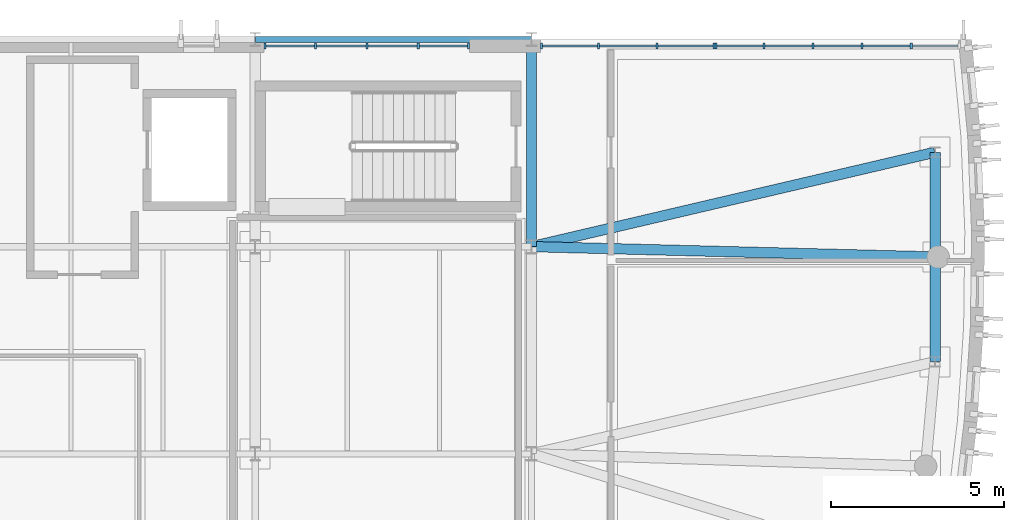
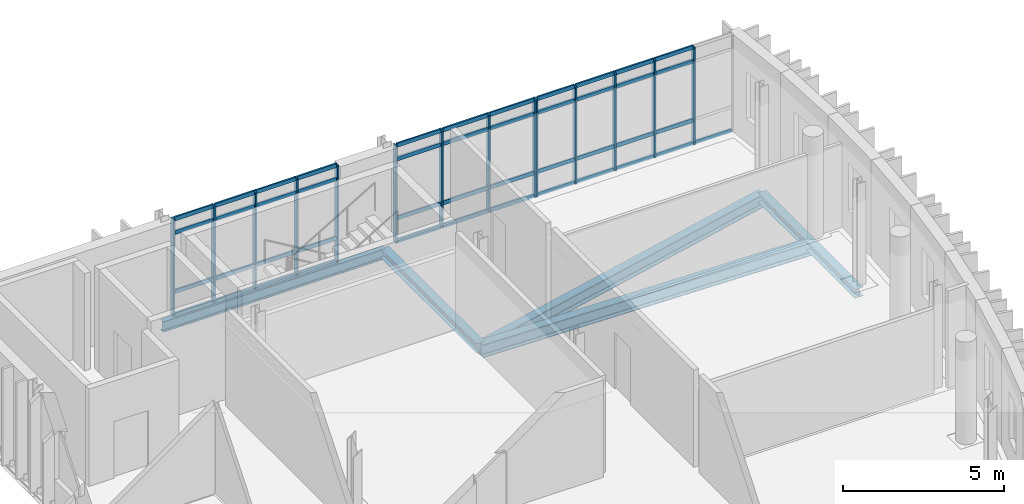
# One storey, part 3 of 10: 59 members, 5 beams, 3 elements without a shape of their own.
"""IFC4 building model written with IfcOpenShell, lengths in metres."""

from ifc_helpers import new_model, si_unit, direction, frame, origin, origin_2d, place, context, subcontext, project, spatial, rectangle, i_section, extrude, material, material_profile, profile_set, type_object, element, aggregate, save


model = new_model("IFC4")

# Units and contexts
model_context = context("Model", 3, precision=1e-05, world=origin(), true_north=direction((0.0, 1.0)))
body_context = subcontext(model_context, "Body", "Model", "MODEL_VIEW")
ifc_project = project(units=[si_unit("LENGTHUNIT", "METRE"), si_unit("AREAUNIT", "SQUARE_METRE"), si_unit("VOLUMEUNIT", "CUBIC_METRE"), si_unit("PLANEANGLEUNIT", "RADIAN"), si_unit("MASSUNIT", "GRAM", prefix="KILO")], contexts=[model_context])

# Site, building, storey
site_placement = place(None, origin())
site = spatial("IfcSite", under=ifc_project, at=site_placement, CompositionType="ELEMENT")
building_placement = place(site_placement, origin())
building = spatial("IfcBuilding", under=site, at=building_placement, Name="Cymarion Research Institute", CompositionType="ELEMENT")
storey_placement = place(building_placement, frame((0.0, 0.0, 38.39990234375)))
storey = spatial("IfcBuildingStorey", under=building, at=storey_placement, Name="L09", CompositionType="ELEMENT", Elevation=38.39990234375)

# Curtain wall, members
ifc_material_1 = material(Name="Anodised aluminium unitised curtain wall with Low-E glazing", Category="aluminium")
curtain_wall_type_1 = type_object("IfcCurtainWallType", Name="UNITISED CURTAIN WALL CW67 7100X3700", PredefinedType="NOTDEFINED", material=ifc_material_1)
curtain_wall_1_placement = place(storey_placement, origin())
curtain_wall_1 = element("IfcCurtainWall", 1, at=curtain_wall_1_placement, inside=storey, type_object=curtain_wall_type_1, Name="L09 V1 unitised curtain wall CW67 #250", PredefinedType="NOTDEFINED")
ifc_material_2 = material(Name="Anodised aluminium framing", Category="aluminium")
ifc_material_profile_1 = material_profile(ifc_material_2, rectangle(XDim=0.06005859375, YDim=0.179931640625, at=origin_2d()), Name="ALU MULLION 60x180")
ifc_profile_set_1 = profile_set([ifc_material_profile_1], Name="Anodised aluminium framing")
member_type_1 = type_object("IfcMemberType", Name="CURTAIN WALL MULLION ML01 60X180", PredefinedType="MULLION", material=ifc_profile_set_1)
member_1_placement = place(storey_placement, frame((165.59521484375, 29.31005859375, 0.0), z_axis=(0.0, 0.0, 1.0), x_axis=(-1.0, 0.0, 0.0)))
member_1 = element("IfcMember", 2, at=member_1_placement, type_object=member_type_1, Name="CW67 mullion 2", PredefinedType="MULLION", context=body_context, shape_type="SweptSolid", body=[
    extrude(rectangle(XDim=0.06005859375, YDim=0.179931640625, at=origin_2d()), origin(), (0.0, 0.0, 1.0), 3.7001953125),
])
member_2_placement = place(storey_placement, frame((164.17431640625, 29.31005859375, 0.0), z_axis=(0.0, 0.0, 1.0), x_axis=(-1.0, 0.0, 0.0)))
member_2 = element("IfcMember", 3, at=member_2_placement, type_object=member_type_1, Name="CW67 mullion 3", PredefinedType="MULLION", context=body_context, shape_type="SweptSolid", body=[
    extrude(rectangle(XDim=0.06005859375, YDim=0.179931640625, at=origin_2d()), origin(), (0.0, 0.0, 1.0), 3.7001953125),
])
member_3_placement = place(storey_placement, frame((162.75341796875, 29.31005859375, 0.0), z_axis=(0.0, 0.0, 1.0), x_axis=(-1.0, 0.0, 0.0)))
member_3 = element("IfcMember", 4, at=member_3_placement, type_object=member_type_1, Name="CW67 mullion 4", PredefinedType="MULLION", context=body_context, shape_type="SweptSolid", body=[
    extrude(rectangle(XDim=0.06005859375, YDim=0.179931640625, at=origin_2d()), origin(), (0.0, 0.0, 1.0), 3.7001953125),
])
member_4_placement = place(storey_placement, frame((161.332763671875, 29.31005859375, 0.0), z_axis=(0.0, 0.0, 1.0), x_axis=(-1.0, 0.0, 0.0)))
member_4 = element("IfcMember", 5, at=member_4_placement, type_object=member_type_1, Name="CW67 mullion 5", PredefinedType="MULLION", context=body_context, shape_type="SweptSolid", body=[
    extrude(rectangle(XDim=0.06005859375, YDim=0.179931640625, at=origin_2d()), origin(), (0.0, 0.0, 1.0), 3.7001953125),
])
member_5_placement = place(storey_placement, frame((159.94189453125, 29.31005859375, 0.0), z_axis=(0.0, 0.0, 1.0), x_axis=(-1.0, 0.0, 0.0)))
member_5 = element("IfcMember", 6, at=member_5_placement, type_object=member_type_1, Name="CW67 mullion 6", PredefinedType="MULLION", context=body_context, shape_type="SweptSolid", body=[
    extrude(rectangle(XDim=0.06005859375, YDim=0.179931640625, at=origin_2d()), origin(), (0.0, 0.0, 1.0), 3.7001953125),
])

curtain_wall_type_2 = type_object("IfcCurtainWallType", Name="UNITISED CURTAIN WALL CW68 5050X3700", PredefinedType="NOTDEFINED", material=ifc_material_1)
curtain_wall_2_placement = place(storey_placement, origin())
curtain_wall_2 = element("IfcCurtainWall", 7, at=curtain_wall_2_placement, inside=storey, type_object=curtain_wall_type_2, Name="L09 V1 unitised curtain wall CW68 #251", PredefinedType="NOTDEFINED")
member_6_placement = place(storey_placement, frame((159.8818359375, 29.31005859375, 0.0), z_axis=(0.0, 0.0, 1.0), x_axis=(-1.0, 0.0, 0.0)))
member_6 = element("IfcMember", 8, at=member_6_placement, type_object=member_type_1, Name="CW68 mullion 1", PredefinedType="MULLION", context=body_context, shape_type="SweptSolid", body=[
    extrude(rectangle(XDim=0.06005859375, YDim=0.179931640625, at=origin_2d()), origin(), (0.0, 0.0, 1.0), 3.7001953125),
])
member_7_placement = place(storey_placement, frame((158.22802734375, 29.31005859375, 0.0), z_axis=(0.0, 0.0, 1.0), x_axis=(-1.0, 0.0, 0.0)))
member_7 = element("IfcMember", 9, at=member_7_placement, type_object=member_type_1, Name="CW68 mullion 2", PredefinedType="MULLION", context=body_context, shape_type="SweptSolid", body=[
    extrude(rectangle(XDim=0.06005859375, YDim=0.179931640625, at=origin_2d()), origin(), (0.0, 0.0, 1.0), 3.7001953125),
])
member_8_placement = place(storey_placement, frame((156.5439453125, 29.31005859375, 0.0), z_axis=(0.0, 0.0, 1.0), x_axis=(-1.0, 0.0, 0.0)))
member_8 = element("IfcMember", 10, at=member_8_placement, type_object=member_type_1, Name="CW68 mullion 3", PredefinedType="MULLION", context=body_context, shape_type="SweptSolid", body=[
    extrude(rectangle(XDim=0.06005859375, YDim=0.179931640625, at=origin_2d()), origin(), (0.0, 0.0, 1.0), 3.7001953125),
])
member_9_placement = place(storey_placement, frame((154.889892578125, 29.31005859375, 0.0), z_axis=(0.0, 0.0, 1.0), x_axis=(-1.0, 0.0, 0.0)))
member_9 = element("IfcMember", 11, at=member_9_placement, type_object=member_type_1, Name="CW68 mullion 4", PredefinedType="MULLION", context=body_context, shape_type="SweptSolid", body=[
    extrude(rectangle(XDim=0.06005859375, YDim=0.179931640625, at=origin_2d()), origin(), (0.0, 0.0, 1.0), 3.7001953125),
])

curtain_wall_type_3 = type_object("IfcCurtainWallType", Name="UNITISED CURTAIN WALL CW69 5950X3700", PredefinedType="NOTDEFINED", material=ifc_material_1)
curtain_wall_3_placement = place(storey_placement, origin())
curtain_wall_3 = element("IfcCurtainWall", 12, at=curtain_wall_3_placement, inside=storey, type_object=curtain_wall_type_3, Name="L09 V1 unitised curtain wall CW69 #252", PredefinedType="NOTDEFINED")
member_10_placement = place(storey_placement, frame((152.77783203125, 29.31005859375, 0.0), z_axis=(0.0, 0.0, 1.0), x_axis=(-1.0, 0.0, 0.0)))
member_10 = element("IfcMember", 13, at=member_10_placement, type_object=member_type_1, Name="CW69 mullion 1", PredefinedType="MULLION", context=body_context, shape_type="SweptSolid", body=[
    extrude(rectangle(XDim=0.06005859375, YDim=0.179931640625, at=origin_2d()), origin(), (0.0, 0.0, 1.0), 3.7001953125),
])
member_11_placement = place(storey_placement, frame((151.321044921875, 29.31005859375, 0.0), z_axis=(0.0, 0.0, 1.0), x_axis=(-1.0, 0.0, 0.0)))
member_11 = element("IfcMember", 14, at=member_11_placement, type_object=member_type_1, Name="CW69 mullion 2", PredefinedType="MULLION", context=body_context, shape_type="SweptSolid", body=[
    extrude(rectangle(XDim=0.06005859375, YDim=0.179931640625, at=origin_2d()), origin(), (0.0, 0.0, 1.0), 3.7001953125),
])
member_12_placement = place(storey_placement, frame((149.833984375, 29.31005859375, 0.0), z_axis=(0.0, 0.0, 1.0), x_axis=(-1.0, 0.0, 0.0)))
member_12 = element("IfcMember", 15, at=member_12_placement, type_object=member_type_1, Name="CW69 mullion 3", PredefinedType="MULLION", context=body_context, shape_type="SweptSolid", body=[
    extrude(rectangle(XDim=0.06005859375, YDim=0.179931640625, at=origin_2d()), origin(), (0.0, 0.0, 1.0), 3.7001953125),
])
member_13_placement = place(storey_placement, frame((148.346923828125, 29.31005859375, 0.0), z_axis=(0.0, 0.0, 1.0), x_axis=(-1.0, 0.0, 0.0)))
member_13 = element("IfcMember", 16, at=member_13_placement, type_object=member_type_1, Name="CW69 mullion 4", PredefinedType="MULLION", context=body_context, shape_type="SweptSolid", body=[
    extrude(rectangle(XDim=0.06005859375, YDim=0.179931640625, at=origin_2d()), origin(), (0.0, 0.0, 1.0), 3.7001953125),
])
member_14_placement = place(storey_placement, frame((146.889892578125, 29.31005859375, 0.0), z_axis=(0.0, 0.0, 1.0), x_axis=(-1.0, 0.0, 0.0)))
member_14 = element("IfcMember", 17, at=member_14_placement, type_object=member_type_1, Name="CW69 mullion 5", PredefinedType="MULLION", context=body_context, shape_type="SweptSolid", body=[
    extrude(rectangle(XDim=0.06005859375, YDim=0.179931640625, at=origin_2d()), origin(), (0.0, 0.0, 1.0), 3.7001953125),
])

# Member
ifc_material_profile_2 = material_profile(ifc_material_2, rectangle(XDim=0.06005859375, YDim=0.14990234375, at=origin_2d()), Name="ALU TRANSOM 60x150")
ifc_profile_set_2 = profile_set([ifc_material_profile_2], Name="Anodised aluminium framing")
member_type_2 = type_object("IfcMemberType", Name="CURTAIN WALL TRANSOM TR01 60X150", PredefinedType="USERDEFINED", material=ifc_profile_set_2)
member_15_placement = place(storey_placement, frame((166.955810546875, 29.31005859375, 0.030029296875), z_axis=(-1.0, 0.0, 0.0), x_axis=(0.0, -1.0, 0.0)))
member_15 = element("IfcMember", 18, at=member_15_placement, type_object=member_type_2, Name="CW67 transom 1.1", ObjectType="TRANSOM", PredefinedType="USERDEFINED", context=body_context, shape_type="SweptSolid", body=[
    extrude(rectangle(XDim=0.06005859375, YDim=0.14990234375, at=origin_2d()), origin(), (0.0, 0.0, 1.0), 1.330810546875),
])

member_16_placement = place(storey_placement, frame((165.565185546875, 29.31005859375, 0.030029296875), z_axis=(-1.0, 0.0, 0.0), x_axis=(0.0, -1.0, 0.0)))
member_16 = element("IfcMember", 19, at=member_16_placement, type_object=member_type_2, Name="CW67 transom 2.1", ObjectType="TRANSOM", PredefinedType="USERDEFINED", context=body_context, shape_type="SweptSolid", body=[
    extrude(rectangle(XDim=0.06005859375, YDim=0.14990234375, at=origin_2d()), origin(), (0.0, 0.0, 1.0), 1.36083984375),
])

member_17_placement = place(storey_placement, frame((165.565185546875, 29.31005859375, 0.900146484375), z_axis=(-1.0, 0.0, 0.0), x_axis=(0.0, -1.0, 0.0)))
member_17 = element("IfcMember", 20, at=member_17_placement, type_object=member_type_2, Name="CW67 transom 2.2", ObjectType="TRANSOM", PredefinedType="USERDEFINED", context=body_context, shape_type="SweptSolid", body=[
    extrude(rectangle(XDim=0.06005859375, YDim=0.14990234375, at=origin_2d()), origin(), (0.0, 0.0, 1.0), 1.36083984375),
])

member_18_placement = place(storey_placement, frame((165.565185546875, 29.31005859375, 3.150146484375), z_axis=(-1.0, 0.0, 0.0), x_axis=(0.0, -1.0, 0.0)))
member_18 = element("IfcMember", 21, at=member_18_placement, type_object=member_type_2, Name="CW67 transom 2.3", ObjectType="TRANSOM", PredefinedType="USERDEFINED", context=body_context, shape_type="SweptSolid", body=[
    extrude(rectangle(XDim=0.06005859375, YDim=0.14990234375, at=origin_2d()), origin(), (0.0, 0.0, 1.0), 1.36083984375),
])

member_19_placement = place(storey_placement, frame((165.565185546875, 29.31005859375, 3.670166015625), z_axis=(-1.0, 0.0, 0.0), x_axis=(0.0, -1.0, 0.0)))
member_19 = element("IfcMember", 22, at=member_19_placement, type_object=member_type_2, Name="CW67 transom 2.4", ObjectType="TRANSOM", PredefinedType="USERDEFINED", context=body_context, shape_type="SweptSolid", body=[
    extrude(rectangle(XDim=0.06005859375, YDim=0.14990234375, at=origin_2d()), origin(), (0.0, 0.0, 1.0), 1.36083984375),
])

member_20_placement = place(storey_placement, frame((164.144287109375, 29.31005859375, 0.030029296875), z_axis=(-1.0, 0.0, 0.0), x_axis=(0.0, -1.0, 0.0)))
member_20 = element("IfcMember", 23, at=member_20_placement, type_object=member_type_2, Name="CW67 transom 3.1", ObjectType="TRANSOM", PredefinedType="USERDEFINED", context=body_context, shape_type="SweptSolid", body=[
    extrude(rectangle(XDim=0.06005859375, YDim=0.14990234375, at=origin_2d()), origin(), (0.0, 0.0, 1.0), 1.36083984375),
])

member_21_placement = place(storey_placement, frame((164.144287109375, 29.31005859375, 0.900146484375), z_axis=(-1.0, 0.0, 0.0), x_axis=(0.0, -1.0, 0.0)))
member_21 = element("IfcMember", 24, at=member_21_placement, type_object=member_type_2, Name="CW67 transom 3.2", ObjectType="TRANSOM", PredefinedType="USERDEFINED", context=body_context, shape_type="SweptSolid", body=[
    extrude(rectangle(XDim=0.06005859375, YDim=0.14990234375, at=origin_2d()), origin(), (0.0, 0.0, 1.0), 1.36083984375),
])

member_22_placement = place(storey_placement, frame((164.144287109375, 29.31005859375, 3.150146484375), z_axis=(-1.0, 0.0, 0.0), x_axis=(0.0, -1.0, 0.0)))
member_22 = element("IfcMember", 25, at=member_22_placement, type_object=member_type_2, Name="CW67 transom 3.3", ObjectType="TRANSOM", PredefinedType="USERDEFINED", context=body_context, shape_type="SweptSolid", body=[
    extrude(rectangle(XDim=0.06005859375, YDim=0.14990234375, at=origin_2d()), origin(), (0.0, 0.0, 1.0), 1.36083984375),
])

member_23_placement = place(storey_placement, frame((164.144287109375, 29.31005859375, 3.670166015625), z_axis=(-1.0, 0.0, 0.0), x_axis=(0.0, -1.0, 0.0)))
member_23 = element("IfcMember", 26, at=member_23_placement, type_object=member_type_2, Name="CW67 transom 3.4", ObjectType="TRANSOM", PredefinedType="USERDEFINED", context=body_context, shape_type="SweptSolid", body=[
    extrude(rectangle(XDim=0.06005859375, YDim=0.14990234375, at=origin_2d()), origin(), (0.0, 0.0, 1.0), 1.36083984375),
])

member_24_placement = place(storey_placement, frame((162.723388671875, 29.31005859375, 0.030029296875), z_axis=(-1.0, 0.0, 0.0), x_axis=(0.0, -1.0, 0.0)))
member_24 = element("IfcMember", 27, at=member_24_placement, type_object=member_type_2, Name="CW67 transom 4.1", ObjectType="TRANSOM", PredefinedType="USERDEFINED", context=body_context, shape_type="SweptSolid", body=[
    extrude(rectangle(XDim=0.06005859375, YDim=0.14990234375, at=origin_2d()), origin(), (0.0, 0.0, 1.0), 1.360595703125),
])

member_25_placement = place(storey_placement, frame((162.723388671875, 29.31005859375, 0.900146484375), z_axis=(-1.0, 0.0, 0.0), x_axis=(0.0, -1.0, 0.0)))
member_25 = element("IfcMember", 28, at=member_25_placement, type_object=member_type_2, Name="CW67 transom 4.2", ObjectType="TRANSOM", PredefinedType="USERDEFINED", context=body_context, shape_type="SweptSolid", body=[
    extrude(rectangle(XDim=0.06005859375, YDim=0.14990234375, at=origin_2d()), origin(), (0.0, 0.0, 1.0), 1.360595703125),
])

member_26_placement = place(storey_placement, frame((162.723388671875, 29.31005859375, 3.150146484375), z_axis=(-1.0, 0.0, 0.0), x_axis=(0.0, -1.0, 0.0)))
member_26 = element("IfcMember", 29, at=member_26_placement, type_object=member_type_2, Name="CW67 transom 4.3", ObjectType="TRANSOM", PredefinedType="USERDEFINED", context=body_context, shape_type="SweptSolid", body=[
    extrude(rectangle(XDim=0.06005859375, YDim=0.14990234375, at=origin_2d()), origin(), (0.0, 0.0, 1.0), 1.360595703125),
])

member_27_placement = place(storey_placement, frame((162.723388671875, 29.31005859375, 3.670166015625), z_axis=(-1.0, 0.0, 0.0), x_axis=(0.0, -1.0, 0.0)))
member_27 = element("IfcMember", 30, at=member_27_placement, type_object=member_type_2, Name="CW67 transom 4.4", ObjectType="TRANSOM", PredefinedType="USERDEFINED", context=body_context, shape_type="SweptSolid", body=[
    extrude(rectangle(XDim=0.06005859375, YDim=0.14990234375, at=origin_2d()), origin(), (0.0, 0.0, 1.0), 1.360595703125),
])

member_28_placement = place(storey_placement, frame((161.302734375, 29.31005859375, 0.030029296875), z_axis=(-1.0, 0.0, 0.0), x_axis=(0.0, -1.0, 0.0)))
member_28 = element("IfcMember", 31, at=member_28_placement, type_object=member_type_2, Name="CW67 transom 5.1", ObjectType="TRANSOM", PredefinedType="USERDEFINED", context=body_context, shape_type="SweptSolid", body=[
    extrude(rectangle(XDim=0.06005859375, YDim=0.14990234375, at=origin_2d()), origin(), (0.0, 0.0, 1.0), 1.330810546875),
])

member_29_placement = place(storey_placement, frame((161.302734375, 29.31005859375, 0.900146484375), z_axis=(-1.0, 0.0, 0.0), x_axis=(0.0, -1.0, 0.0)))
member_29 = element("IfcMember", 32, at=member_29_placement, type_object=member_type_2, Name="CW67 transom 5.2", ObjectType="TRANSOM", PredefinedType="USERDEFINED", context=body_context, shape_type="SweptSolid", body=[
    extrude(rectangle(XDim=0.06005859375, YDim=0.14990234375, at=origin_2d()), origin(), (0.0, 0.0, 1.0), 1.330810546875),
])

member_30_placement = place(storey_placement, frame((161.302734375, 29.31005859375, 3.150146484375), z_axis=(-1.0, 0.0, 0.0), x_axis=(0.0, -1.0, 0.0)))
member_30 = element("IfcMember", 33, at=member_30_placement, type_object=member_type_2, Name="CW67 transom 5.3", ObjectType="TRANSOM", PredefinedType="USERDEFINED", context=body_context, shape_type="SweptSolid", body=[
    extrude(rectangle(XDim=0.06005859375, YDim=0.14990234375, at=origin_2d()), origin(), (0.0, 0.0, 1.0), 1.330810546875),
])

member_31_placement = place(storey_placement, frame((161.302734375, 29.31005859375, 3.670166015625), z_axis=(-1.0, 0.0, 0.0), x_axis=(0.0, -1.0, 0.0)))
member_31 = element("IfcMember", 34, at=member_31_placement, type_object=member_type_2, Name="CW67 transom 5.4", ObjectType="TRANSOM", PredefinedType="USERDEFINED", context=body_context, shape_type="SweptSolid", body=[
    extrude(rectangle(XDim=0.06005859375, YDim=0.14990234375, at=origin_2d()), origin(), (0.0, 0.0, 1.0), 1.330810546875),
])

aggregate(curtain_wall_1, [member_1, member_2, member_3, member_4, member_5, member_15, member_16, member_17, member_18, member_19, member_20, member_21, member_22, member_23, member_24, member_25, member_26, member_27, member_28, member_29, member_30, member_31])

member_32_placement = place(storey_placement, frame((159.851806640625, 29.31005859375, 0.030029296875), z_axis=(-1.0, 0.0, 0.0), x_axis=(0.0, -1.0, 0.0)))
member_32 = element("IfcMember", 35, at=member_32_placement, type_object=member_type_2, Name="CW68 transom 1.1", ObjectType="TRANSOM", PredefinedType="USERDEFINED", context=body_context, shape_type="SweptSolid", body=[
    extrude(rectangle(XDim=0.06005859375, YDim=0.14990234375, at=origin_2d()), origin(), (0.0, 0.0, 1.0), 1.593994140625),
])

member_33_placement = place(storey_placement, frame((159.851806640625, 29.31005859375, 0.900146484375), z_axis=(-1.0, 0.0, 0.0), x_axis=(0.0, -1.0, 0.0)))
member_33 = element("IfcMember", 36, at=member_33_placement, type_object=member_type_2, Name="CW68 transom 1.2", ObjectType="TRANSOM", PredefinedType="USERDEFINED", context=body_context, shape_type="SweptSolid", body=[
    extrude(rectangle(XDim=0.06005859375, YDim=0.14990234375, at=origin_2d()), origin(), (0.0, 0.0, 1.0), 1.593994140625),
])

member_34_placement = place(storey_placement, frame((159.851806640625, 29.31005859375, 3.150146484375), z_axis=(-1.0, 0.0, 0.0), x_axis=(0.0, -1.0, 0.0)))
member_34 = element("IfcMember", 37, at=member_34_placement, type_object=member_type_2, Name="CW68 transom 1.3", ObjectType="TRANSOM", PredefinedType="USERDEFINED", context=body_context, shape_type="SweptSolid", body=[
    extrude(rectangle(XDim=0.06005859375, YDim=0.14990234375, at=origin_2d()), origin(), (0.0, 0.0, 1.0), 1.593994140625),
])

member_35_placement = place(storey_placement, frame((159.851806640625, 29.31005859375, 3.670166015625), z_axis=(-1.0, 0.0, 0.0), x_axis=(0.0, -1.0, 0.0)))
member_35 = element("IfcMember", 38, at=member_35_placement, type_object=member_type_2, Name="CW68 transom 1.4", ObjectType="TRANSOM", PredefinedType="USERDEFINED", context=body_context, shape_type="SweptSolid", body=[
    extrude(rectangle(XDim=0.06005859375, YDim=0.14990234375, at=origin_2d()), origin(), (0.0, 0.0, 1.0), 1.593994140625),
])

member_36_placement = place(storey_placement, frame((158.197998046875, 29.31005859375, 0.030029296875), z_axis=(-1.0, 0.0, 0.0), x_axis=(0.0, -1.0, 0.0)))
member_36 = element("IfcMember", 39, at=member_36_placement, type_object=member_type_2, Name="CW68 transom 2.1", ObjectType="TRANSOM", PredefinedType="USERDEFINED", context=body_context, shape_type="SweptSolid", body=[
    extrude(rectangle(XDim=0.06005859375, YDim=0.14990234375, at=origin_2d()), origin(), (0.0, 0.0, 1.0), 1.6240234375),
])

member_37_placement = place(storey_placement, frame((158.197998046875, 29.31005859375, 0.900146484375), z_axis=(-1.0, 0.0, 0.0), x_axis=(0.0, -1.0, 0.0)))
member_37 = element("IfcMember", 40, at=member_37_placement, type_object=member_type_2, Name="CW68 transom 2.2", ObjectType="TRANSOM", PredefinedType="USERDEFINED", context=body_context, shape_type="SweptSolid", body=[
    extrude(rectangle(XDim=0.06005859375, YDim=0.14990234375, at=origin_2d()), origin(), (0.0, 0.0, 1.0), 1.6240234375),
])

member_38_placement = place(storey_placement, frame((158.197998046875, 29.31005859375, 3.150146484375), z_axis=(-1.0, 0.0, 0.0), x_axis=(0.0, -1.0, 0.0)))
member_38 = element("IfcMember", 41, at=member_38_placement, type_object=member_type_2, Name="CW68 transom 2.3", ObjectType="TRANSOM", PredefinedType="USERDEFINED", context=body_context, shape_type="SweptSolid", body=[
    extrude(rectangle(XDim=0.06005859375, YDim=0.14990234375, at=origin_2d()), origin(), (0.0, 0.0, 1.0), 1.6240234375),
])

member_39_placement = place(storey_placement, frame((158.197998046875, 29.31005859375, 3.670166015625), z_axis=(-1.0, 0.0, 0.0), x_axis=(0.0, -1.0, 0.0)))
member_39 = element("IfcMember", 42, at=member_39_placement, type_object=member_type_2, Name="CW68 transom 2.4", ObjectType="TRANSOM", PredefinedType="USERDEFINED", context=body_context, shape_type="SweptSolid", body=[
    extrude(rectangle(XDim=0.06005859375, YDim=0.14990234375, at=origin_2d()), origin(), (0.0, 0.0, 1.0), 1.6240234375),
])

member_40_placement = place(storey_placement, frame((156.513916015625, 29.31005859375, 0.030029296875), z_axis=(-1.0, 0.0, 0.0), x_axis=(0.0, -1.0, 0.0)))
member_40 = element("IfcMember", 43, at=member_40_placement, type_object=member_type_2, Name="CW68 transom 3.1", ObjectType="TRANSOM", PredefinedType="USERDEFINED", context=body_context, shape_type="SweptSolid", body=[
    extrude(rectangle(XDim=0.06005859375, YDim=0.14990234375, at=origin_2d()), origin(), (0.0, 0.0, 1.0), 1.593994140625),
])

member_41_placement = place(storey_placement, frame((156.513916015625, 29.31005859375, 0.900146484375), z_axis=(-1.0, 0.0, 0.0), x_axis=(0.0, -1.0, 0.0)))
member_41 = element("IfcMember", 44, at=member_41_placement, type_object=member_type_2, Name="CW68 transom 3.2", ObjectType="TRANSOM", PredefinedType="USERDEFINED", context=body_context, shape_type="SweptSolid", body=[
    extrude(rectangle(XDim=0.06005859375, YDim=0.14990234375, at=origin_2d()), origin(), (0.0, 0.0, 1.0), 1.593994140625),
])

member_42_placement = place(storey_placement, frame((156.513916015625, 29.31005859375, 3.150146484375), z_axis=(-1.0, 0.0, 0.0), x_axis=(0.0, -1.0, 0.0)))
member_42 = element("IfcMember", 45, at=member_42_placement, type_object=member_type_2, Name="CW68 transom 3.3", ObjectType="TRANSOM", PredefinedType="USERDEFINED", context=body_context, shape_type="SweptSolid", body=[
    extrude(rectangle(XDim=0.06005859375, YDim=0.14990234375, at=origin_2d()), origin(), (0.0, 0.0, 1.0), 1.593994140625),
])

member_43_placement = place(storey_placement, frame((156.513916015625, 29.31005859375, 3.670166015625), z_axis=(-1.0, 0.0, 0.0), x_axis=(0.0, -1.0, 0.0)))
member_43 = element("IfcMember", 46, at=member_43_placement, type_object=member_type_2, Name="CW68 transom 3.4", ObjectType="TRANSOM", PredefinedType="USERDEFINED", context=body_context, shape_type="SweptSolid", body=[
    extrude(rectangle(XDim=0.06005859375, YDim=0.14990234375, at=origin_2d()), origin(), (0.0, 0.0, 1.0), 1.593994140625),
])

aggregate(curtain_wall_2, [member_6, member_7, member_8, member_9, member_32, member_33, member_34, member_35, member_36, member_37, member_38, member_39, member_40, member_41, member_42, member_43])

member_44_placement = place(storey_placement, frame((152.747802734375, 29.31005859375, 0.030029296875), z_axis=(-1.0, 0.0, 0.0), x_axis=(0.0, -1.0, 0.0)))
member_44 = element("IfcMember", 47, at=member_44_placement, type_object=member_type_2, Name="CW69 transom 1.1", ObjectType="TRANSOM", PredefinedType="USERDEFINED", context=body_context, shape_type="SweptSolid", body=[
    extrude(rectangle(XDim=0.06005859375, YDim=0.14990234375, at=origin_2d()), origin(), (0.0, 0.0, 1.0), 1.39697265625),
])

member_45_placement = place(storey_placement, frame((152.747802734375, 29.31005859375, 0.900146484375), z_axis=(-1.0, 0.0, 0.0), x_axis=(0.0, -1.0, 0.0)))
member_45 = element("IfcMember", 48, at=member_45_placement, type_object=member_type_2, Name="CW69 transom 1.2", ObjectType="TRANSOM", PredefinedType="USERDEFINED", context=body_context, shape_type="SweptSolid", body=[
    extrude(rectangle(XDim=0.06005859375, YDim=0.14990234375, at=origin_2d()), origin(), (0.0, 0.0, 1.0), 1.39697265625),
])

member_46_placement = place(storey_placement, frame((152.747802734375, 29.31005859375, 3.150146484375), z_axis=(-1.0, 0.0, 0.0), x_axis=(0.0, -1.0, 0.0)))
member_46 = element("IfcMember", 49, at=member_46_placement, type_object=member_type_2, Name="CW69 transom 1.3", ObjectType="TRANSOM", PredefinedType="USERDEFINED", context=body_context, shape_type="SweptSolid", body=[
    extrude(rectangle(XDim=0.06005859375, YDim=0.14990234375, at=origin_2d()), origin(), (0.0, 0.0, 1.0), 1.39697265625),
])

member_47_placement = place(storey_placement, frame((152.747802734375, 29.31005859375, 3.670166015625), z_axis=(-1.0, 0.0, 0.0), x_axis=(0.0, -1.0, 0.0)))
member_47 = element("IfcMember", 50, at=member_47_placement, type_object=member_type_2, Name="CW69 transom 1.4", ObjectType="TRANSOM", PredefinedType="USERDEFINED", context=body_context, shape_type="SweptSolid", body=[
    extrude(rectangle(XDim=0.06005859375, YDim=0.14990234375, at=origin_2d()), origin(), (0.0, 0.0, 1.0), 1.39697265625),
])

member_48_placement = place(storey_placement, frame((151.291015625, 29.31005859375, 0.030029296875), z_axis=(-1.0, 0.0, 0.0), x_axis=(0.0, -1.0, 0.0)))
member_48 = element("IfcMember", 51, at=member_48_placement, type_object=member_type_2, Name="CW69 transom 2.1", ObjectType="TRANSOM", PredefinedType="USERDEFINED", context=body_context, shape_type="SweptSolid", body=[
    extrude(rectangle(XDim=0.06005859375, YDim=0.14990234375, at=origin_2d()), origin(), (0.0, 0.0, 1.0), 1.427001953125),
])

member_49_placement = place(storey_placement, frame((151.291015625, 29.31005859375, 0.900146484375), z_axis=(-1.0, 0.0, 0.0), x_axis=(0.0, -1.0, 0.0)))
member_49 = element("IfcMember", 52, at=member_49_placement, type_object=member_type_2, Name="CW69 transom 2.2", ObjectType="TRANSOM", PredefinedType="USERDEFINED", context=body_context, shape_type="SweptSolid", body=[
    extrude(rectangle(XDim=0.06005859375, YDim=0.14990234375, at=origin_2d()), origin(), (0.0, 0.0, 1.0), 1.427001953125),
])

member_50_placement = place(storey_placement, frame((151.291015625, 29.31005859375, 3.150146484375), z_axis=(-1.0, 0.0, 0.0), x_axis=(0.0, -1.0, 0.0)))
member_50 = element("IfcMember", 53, at=member_50_placement, type_object=member_type_2, Name="CW69 transom 2.3", ObjectType="TRANSOM", PredefinedType="USERDEFINED", context=body_context, shape_type="SweptSolid", body=[
    extrude(rectangle(XDim=0.06005859375, YDim=0.14990234375, at=origin_2d()), origin(), (0.0, 0.0, 1.0), 1.427001953125),
])

member_51_placement = place(storey_placement, frame((151.291015625, 29.31005859375, 3.670166015625), z_axis=(-1.0, 0.0, 0.0), x_axis=(0.0, -1.0, 0.0)))
member_51 = element("IfcMember", 54, at=member_51_placement, type_object=member_type_2, Name="CW69 transom 2.4", ObjectType="TRANSOM", PredefinedType="USERDEFINED", context=body_context, shape_type="SweptSolid", body=[
    extrude(rectangle(XDim=0.06005859375, YDim=0.14990234375, at=origin_2d()), origin(), (0.0, 0.0, 1.0), 1.427001953125),
])

member_52_placement = place(storey_placement, frame((149.803955078125, 29.31005859375, 0.030029296875), z_axis=(-1.0, 0.0, 0.0), x_axis=(0.0, -1.0, 0.0)))
member_52 = element("IfcMember", 55, at=member_52_placement, type_object=member_type_2, Name="CW69 transom 3.1", ObjectType="TRANSOM", PredefinedType="USERDEFINED", context=body_context, shape_type="SweptSolid", body=[
    extrude(rectangle(XDim=0.06005859375, YDim=0.14990234375, at=origin_2d()), origin(), (0.0, 0.0, 1.0), 1.427001953125),
])

member_53_placement = place(storey_placement, frame((149.803955078125, 29.31005859375, 0.900146484375), z_axis=(-1.0, 0.0, 0.0), x_axis=(0.0, -1.0, 0.0)))
member_53 = element("IfcMember", 56, at=member_53_placement, type_object=member_type_2, Name="CW69 transom 3.2", ObjectType="TRANSOM", PredefinedType="USERDEFINED", context=body_context, shape_type="SweptSolid", body=[
    extrude(rectangle(XDim=0.06005859375, YDim=0.14990234375, at=origin_2d()), origin(), (0.0, 0.0, 1.0), 1.427001953125),
])

member_54_placement = place(storey_placement, frame((149.803955078125, 29.31005859375, 3.150146484375), z_axis=(-1.0, 0.0, 0.0), x_axis=(0.0, -1.0, 0.0)))
member_54 = element("IfcMember", 57, at=member_54_placement, type_object=member_type_2, Name="CW69 transom 3.3", ObjectType="TRANSOM", PredefinedType="USERDEFINED", context=body_context, shape_type="SweptSolid", body=[
    extrude(rectangle(XDim=0.06005859375, YDim=0.14990234375, at=origin_2d()), origin(), (0.0, 0.0, 1.0), 1.427001953125),
])

member_55_placement = place(storey_placement, frame((149.803955078125, 29.31005859375, 3.670166015625), z_axis=(-1.0, 0.0, 0.0), x_axis=(0.0, -1.0, 0.0)))
member_55 = element("IfcMember", 58, at=member_55_placement, type_object=member_type_2, Name="CW69 transom 3.4", ObjectType="TRANSOM", PredefinedType="USERDEFINED", context=body_context, shape_type="SweptSolid", body=[
    extrude(rectangle(XDim=0.06005859375, YDim=0.14990234375, at=origin_2d()), origin(), (0.0, 0.0, 1.0), 1.427001953125),
])

member_56_placement = place(storey_placement, frame((148.31689453125, 29.31005859375, 0.030029296875), z_axis=(-1.0, 0.0, 0.0), x_axis=(0.0, -1.0, 0.0)))
member_56 = element("IfcMember", 59, at=member_56_placement, type_object=member_type_2, Name="CW69 transom 4.1", ObjectType="TRANSOM", PredefinedType="USERDEFINED", context=body_context, shape_type="SweptSolid", body=[
    extrude(rectangle(XDim=0.06005859375, YDim=0.14990234375, at=origin_2d()), origin(), (0.0, 0.0, 1.0), 1.39697265625),
])

member_57_placement = place(storey_placement, frame((148.31689453125, 29.31005859375, 0.900146484375), z_axis=(-1.0, 0.0, 0.0), x_axis=(0.0, -1.0, 0.0)))
member_57 = element("IfcMember", 60, at=member_57_placement, type_object=member_type_2, Name="CW69 transom 4.2", ObjectType="TRANSOM", PredefinedType="USERDEFINED", context=body_context, shape_type="SweptSolid", body=[
    extrude(rectangle(XDim=0.06005859375, YDim=0.14990234375, at=origin_2d()), origin(), (0.0, 0.0, 1.0), 1.39697265625),
])

member_58_placement = place(storey_placement, frame((148.31689453125, 29.31005859375, 3.150146484375), z_axis=(-1.0, 0.0, 0.0), x_axis=(0.0, -1.0, 0.0)))
member_58 = element("IfcMember", 61, at=member_58_placement, type_object=member_type_2, Name="CW69 transom 4.3", ObjectType="TRANSOM", PredefinedType="USERDEFINED", context=body_context, shape_type="SweptSolid", body=[
    extrude(rectangle(XDim=0.06005859375, YDim=0.14990234375, at=origin_2d()), origin(), (0.0, 0.0, 1.0), 1.39697265625),
])

member_59_placement = place(storey_placement, frame((148.31689453125, 29.31005859375, 3.670166015625), z_axis=(-1.0, 0.0, 0.0), x_axis=(0.0, -1.0, 0.0)))
member_59 = element("IfcMember", 62, at=member_59_placement, type_object=member_type_2, Name="CW69 transom 4.4", ObjectType="TRANSOM", PredefinedType="USERDEFINED", context=body_context, shape_type="SweptSolid", body=[
    extrude(rectangle(XDim=0.06005859375, YDim=0.14990234375, at=origin_2d()), origin(), (0.0, 0.0, 1.0), 1.39697265625),
])

aggregate(curtain_wall_3, [member_10, member_11, member_12, member_13, member_14, member_44, member_45, member_46, member_47, member_48, member_49, member_50, member_51, member_52, member_53, member_54, member_55, member_56, member_57, member_58, member_59])

# Beams
ifc_material_3 = material(Name="Steel S355", Category="steel")
ifc_material_profile_3 = material_profile(ifc_material_3, i_section(OverallWidth=0.179931640625, OverallDepth=0.39990234375, WebThickness=0.008544921875, FlangeThickness=0.013427734375, FilletRadius=0.02099609375, at=origin_2d()), Name="IPE 400")
ifc_profile_set_3 = profile_set([ifc_material_profile_3], Name="Steel S355")
beam_type_1 = type_object("IfcBeamType", Name="PRIMARY GIRDER BM05 IPE 400", PredefinedType="BEAM", material=ifc_profile_set_3)
beam_1_placement = place(storey_placement, frame((146.60595703125, 29.5, -0.39990234375), z_axis=(1.0, 0.0, 0.0), x_axis=(0.0, 1.0, 0.0)))
element("IfcBeam", 63, at=beam_1_placement, inside=storey, type_object=beam_type_1, Name="L09 V1 girder BM05 #2393", PredefinedType="BEAM", context=body_context, shape_type="SweptSolid", body=[
    extrude(i_section(OverallWidth=0.179931640625, OverallDepth=0.39990234375, WebThickness=0.008544921875, FlangeThickness=0.013427734375, FilletRadius=0.02099609375, at=origin_2d()), origin(), (0.0, 0.0, 1.0), 7.988037109375),
])
ifc_material_profile_4 = material_profile(ifc_material_3, i_section(OverallWidth=0.300048828125, OverallDepth=0.5, WebThickness=0.014404296875, FlangeThickness=0.028076171875, FilletRadius=0.027099609375, at=origin_2d()), Name="HEB 500")
ifc_profile_set_4 = profile_set([ifc_material_profile_4], Name="Steel S355")
beam_type_2 = type_object("IfcBeamType", Name="PRIMARY GIRDER BM09 HEB 500", PredefinedType="BEAM", material=ifc_profile_set_4)
beam_2_placement = place(storey_placement, frame((154.60791015625, 23.499755859375, -0.449951171875), z_axis=(0.999675752574, -0.025463497715, 0.0), x_axis=(0.025463497715, 0.999675752574, 0.0)))
element("IfcBeam", 64, at=beam_2_placement, inside=storey, type_object=beam_type_2, Name="L09 V1 radial prow girder BM09 #2413", PredefinedType="BEAM", context=body_context, shape_type="SweptSolid", body=[
    extrude(i_section(OverallWidth=0.300048828125, OverallDepth=0.5, WebThickness=0.014404296875, FlangeThickness=0.028076171875, FilletRadius=0.027099609375, at=origin_2d()), origin(), (0.0, 0.0, 1.0), 11.764404296875),
])
beam_3_placement = place(storey_placement, frame((154.60791015625, 23.501708984375, -0.449951171875), z_axis=(0.973701737176, 0.22782652835, 0.0), x_axis=(-0.22782652835, 0.973701737176, 0.0)))
element("IfcBeam", 65, at=beam_3_placement, inside=storey, type_object=beam_type_2, Name="L09 V1 radial prow girder BM09 #2414", PredefinedType="BEAM", context=body_context, shape_type="SweptSolid", body=[
    extrude(i_section(OverallWidth=0.300048828125, OverallDepth=0.5, WebThickness=0.014404296875, FlangeThickness=0.028076171875, FilletRadius=0.027099609375, at=origin_2d()), origin(), (0.0, 0.0, 1.0), 11.98486328125),
])
ifc_material_profile_5 = material_profile(ifc_material_3, i_section(OverallWidth=0.300048828125, OverallDepth=0.35009765625, WebThickness=0.010009765625, FlangeThickness=0.017578125, FilletRadius=0.027099609375, at=origin_2d()), Name="HEA 360")
ifc_profile_set_5 = profile_set([ifc_material_profile_5], Name="Steel S355")
beam_type_3 = type_object("IfcBeamType", Name="PRIMARY GIRDER BM12 HEA 360", PredefinedType="BEAM", material=ifc_profile_set_5)
beam_4_placement = place(storey_placement, frame((154.60009765625, 23.506103515625, -0.375), z_axis=(0.0, 1.0, 0.0), x_axis=(-1.0, 0.0, 0.0)))
element("IfcBeam", 66, at=beam_4_placement, inside=storey, type_object=beam_type_3, Name="L09 V1 girder BM12 #2403", PredefinedType="BEAM", context=body_context, shape_type="SweptSolid", body=[
    extrude(i_section(OverallWidth=0.300048828125, OverallDepth=0.35009765625, WebThickness=0.010009765625, FlangeThickness=0.017578125, FilletRadius=0.027099609375, at=origin_2d()), origin(), (0.0, 0.0, 1.0), 5.98779296875),
])
beam_5_placement = place(storey_placement, frame((166.2900390625, 20.172119140625, -0.375), z_axis=(0.0, 1.0, 0.0), x_axis=(-1.0, 0.0, 0.0)))
element("IfcBeam", 67, at=beam_5_placement, inside=storey, type_object=beam_type_3, Name="L09 V1 girder BM12 #2404", PredefinedType="BEAM", context=body_context, shape_type="SweptSolid", body=[
    extrude(i_section(OverallWidth=0.300048828125, OverallDepth=0.35009765625, WebThickness=0.010009765625, FlangeThickness=0.017578125, FilletRadius=0.027099609375, at=origin_2d()), origin(), (0.0, 0.0, 1.0), 6.055908203125),
])

save(model, "model.ifc")
